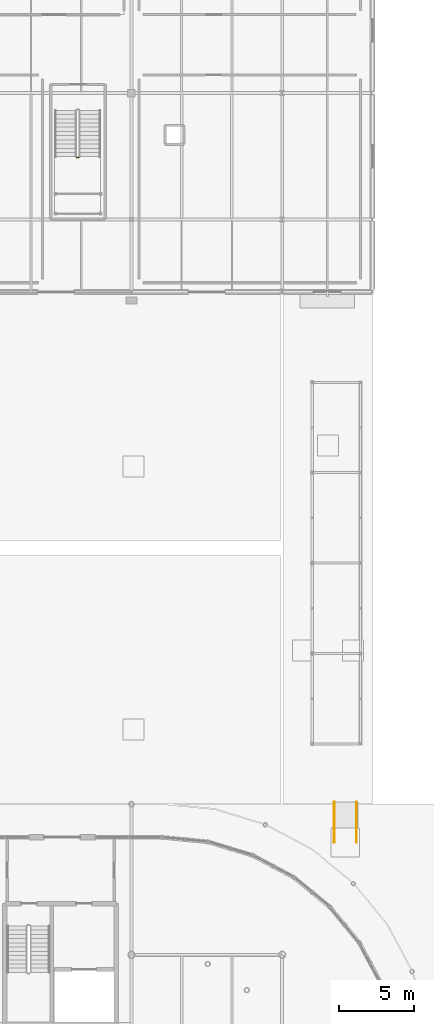
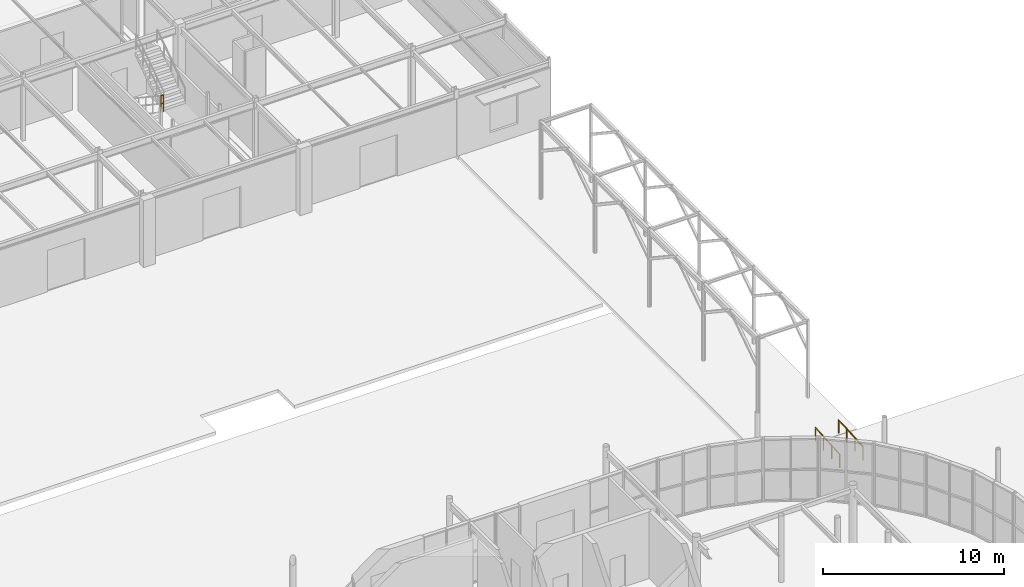
# One storey, part 116 of 119: 3 railings.
"""IFC4 building model written with IfcOpenShell, lengths in metres."""

from ifc_helpers import new_model, si_unit, derived_unit, direction, frame, origin, origin_2d_with_axis, place, context, subcontext, project, spatial, circle, extrude, material, layer, layer_set, type_object, element, save


model = new_model("IFC4")

# Units and contexts
model_context = context("Model", 3, precision=1e-05, world=origin(), true_north=direction((0.0, 1.0)))
body_context = subcontext(model_context, "Body", "Model", "MODEL_VIEW")
ifc_project = project(units=[si_unit("LENGTHUNIT", "METRE"), si_unit("AREAUNIT", "SQUARE_METRE"), si_unit("VOLUMEUNIT", "CUBIC_METRE"), si_unit("PLANEANGLEUNIT", "RADIAN"), si_unit("MASSUNIT", "GRAM", prefix="KILO"), derived_unit("THERMALTRANSMITTANCEUNIT", [(si_unit("POWERUNIT", "WATT"), 1), (si_unit("LENGTHUNIT", "METRE"), -2), (si_unit("THERMODYNAMICTEMPERATUREUNIT", "KELVIN"), -1)])], contexts=[model_context])

# Site, building, storey
site_placement = place(None, origin())
site = spatial("IfcSite", under=ifc_project, at=site_placement, CompositionType="ELEMENT")
building_placement = place(site_placement, origin())
building = spatial("IfcBuilding", under=site, at=building_placement, Name="Cinnabar Yard Market Hall", CompositionType="ELEMENT")
storey_placement = place(building_placement, origin())
storey = spatial("IfcBuildingStorey", under=building, at=storey_placement, Name="L00", CompositionType="ELEMENT", Elevation=0.0)

# Railings
ifc_material_1 = material(Name="Laminated glass and bronze handrail", Category="glass")
ifc_layer_1 = layer(ifc_material_1, 0.070068359375)
ifc_layer_set_1 = layer_set([ifc_layer_1], Name="Laminated glass and bronze handrail")
railing_type_1 = type_object("IfcRailingType", Name="RL-G01", PredefinedType="BALUSTRADE", material=ifc_layer_set_1)
railing_placement = place(storey_placement, frame((142.35009765625, 116.919921875, 2.25)))
element("IfcRailing", 1, at=railing_placement, inside=storey, type_object=railing_type_1, Name="L00 ST-F6 stair guard 2", PredefinedType="BALUSTRADE", context=body_context, shape_type="SweptSolid", body=[
    extrude(circle(Radius=0.02392578125, at=origin_2d_with_axis()), frame((0.0, 0.0, 1.09619140625), z_axis=(1.0, 0.0, 0.0), x_axis=(0.0, 1.0, 0.0)), (0.0, 0.0, 1.0), 0.159912109375),
    extrude(circle(Radius=0.02392578125, at=origin_2d_with_axis()), frame((0.0, 0.0, 0.550048828125), z_axis=(1.0, 0.0, 0.0), x_axis=(0.0, 1.0, 0.0)), (0.0, 0.0, 1.0), 0.159912109375),
    extrude(circle(Radius=0.02099609375, at=origin_2d_with_axis()), origin(), (0.0, 0.0, 1.0), 1.072021484375),
    extrude(circle(Radius=0.02099609375, at=origin_2d_with_axis()), frame((0.159912109375, 0.0, 0.0)), (0.0, 0.0, 1.0), 1.072021484375),
])
ifc_material_2 = material(Name="Brushed stainless steel exterior handrail", Category="steel")
ifc_layer_2 = layer(ifc_material_2, 0.050048828125)
ifc_layer_set_2 = layer_set([ifc_layer_2], Name="Brushed stainless steel exterior handrail")
railing_type_2 = type_object("IfcRailingType", Name="RL-HRE", PredefinedType="HANDRAIL", material=ifc_layer_set_2)
for number, where, name in (
    (2, (159.45751953125, 71.449951171875, -0.179931640625), "East Passage Step-Free Ramp Handrail L"),
    (3, (160.9423828125, 71.449951171875, -0.179931640625), "East Passage Step-Free Ramp Handrail R"),
):
    element("IfcRailing", number, at=place(storey_placement, frame(where)), inside=storey, type_object=railing_type_2, Name=name, PredefinedType="HANDRAIL", context=body_context, shape_type="SweptSolid", body=[
        extrude(circle(Radius=0.02392578125, at=origin_2d_with_axis()), frame((0.0, 0.0, 0.89599609375), z_axis=(0.0, 0.997786754453, 0.066495057241), x_axis=(-1.0, 0.0, 0.0)), (0.0, 0.0, 1.0), 2.7060546875),
        extrude(circle(Radius=0.02099609375, at=origin_2d_with_axis()), origin(), (0.0, 0.0, 1.0), 0.871826171875),
        extrude(circle(Radius=0.02099609375, at=origin_2d_with_axis()), frame((0.0, 0.89990234375, 0.06005859375)), (0.0, 0.0, 1.0), 0.871826171875),
        extrude(circle(Radius=0.02099609375, at=origin_2d_with_axis()), frame((0.0, 1.800048828125, 0.119873046875)), (0.0, 0.0, 1.0), 0.871826171875),
        extrude(circle(Radius=0.02099609375, at=origin_2d_with_axis()), frame((0.0, 2.699951171875, 0.179931640625)), (0.0, 0.0, 1.0), 0.871826171875),
    ])

save(model, "model.ifc")
